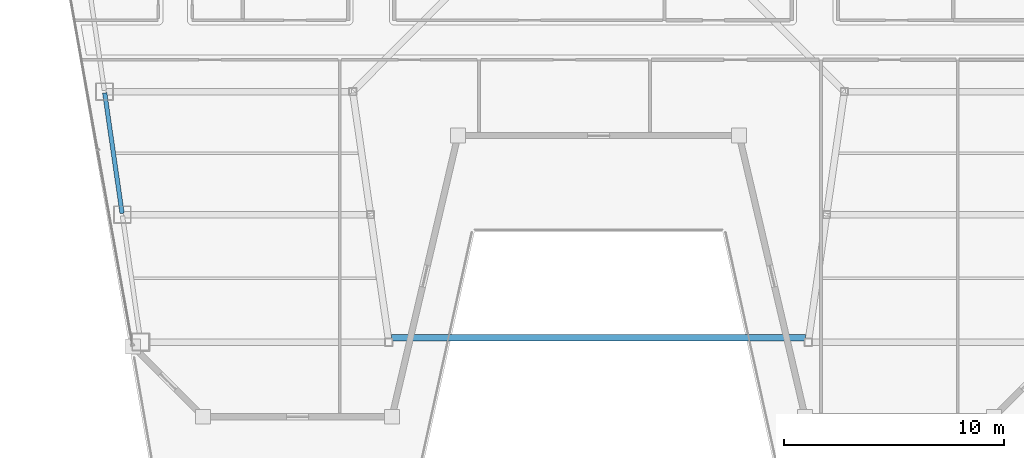
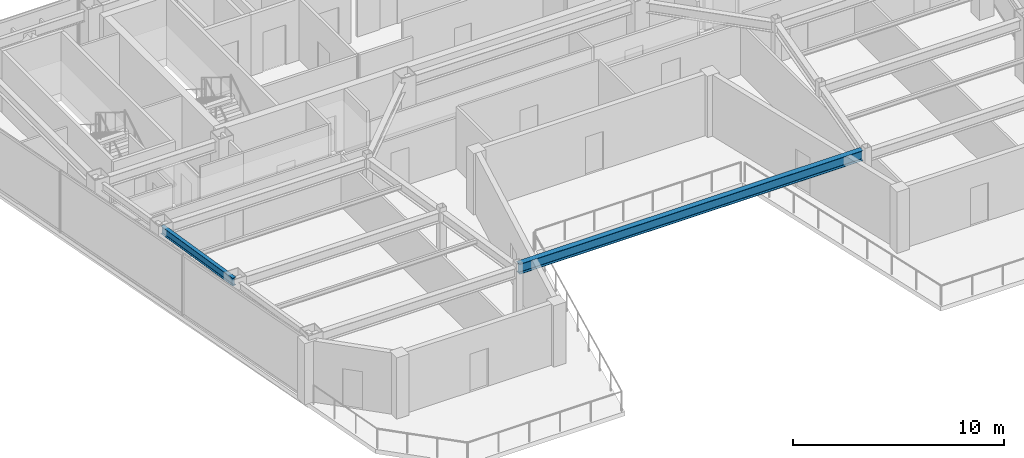
# One storey, part 4 of 28: 2 beams.
"""IFC4 building model written with IfcOpenShell, lengths in metres."""

import ifcopenshell
import ifcopenshell.guid

model = None  # the IFC model being written
_history = None  # IfcOwnerHistory: only IFC2X3 demands one
_inside = {}  # id of a spatial element -> (the spatial element, [elements in it])
_under = {}  # id of a project, library or spatial element -> (it, [spatial elements below it])
_declared = {}  # id of a project -> (the project, [libraries it declares])
_typed = {}  # id of a type object -> (the type object, [elements of that type])
_made_of = {}  # id of a material, layer set ... -> (it, [elements and type objects made of it])


def new_model(schema):
    """Start an empty IFC model of exactly this schema.

    Asked for "IFC4X3", IfcOpenShell would pick the latest addendum, in which some entities
    have other attributes; the version numbers below select the first issue.
    IFC2X3 requires an IfcOwnerHistory on every rooted entity: one is made here for all.
    """
    global model, _history
    if schema == "IFC4X3":
        model = ifcopenshell.file(schema_version=(4, 3, 0, 0))
    else:
        model = ifcopenshell.file(schema=schema)
    _inside.clear()
    _under.clear()
    _declared.clear()
    _typed.clear()
    _made_of.clear()
    _history = None
    if model.schema == "IFC2X3":
        org = make("IfcOrganization", Name="unknown")
        user = make(
            "IfcPersonAndOrganization",
            ThePerson=make("IfcPerson", FamilyName="unknown"),
            TheOrganization=org,
        )
        app = make(
            "IfcApplication",
            ApplicationDeveloper=org,
            Version="unknown",
            ApplicationFullName="unknown",
            ApplicationIdentifier="unknown",
        )
        _history = make(
            "IfcOwnerHistory",
            OwningUser=user,
            OwningApplication=app,
            ChangeAction="ADDED",
            CreationDate=0,
        )
    return model


def make(cls, **values):
    """One entity of the class cls with the attributes given. An attribute that is None is left unset."""
    return model.create_entity(
        cls, **{name: value for name, value in values.items() if value is not None}
    )


def rooted(cls, **values):
    """An entity with a GlobalId (a new one), such as an element, a storey or a relation."""
    return make(cls, GlobalId=ifcopenshell.guid.new(), OwnerHistory=_history, **values)


def si_unit(unit_type, name, prefix=None):
    """IfcSIUnit, for example si_unit("LENGTHUNIT", "METRE", prefix="MILLI")."""
    return make("IfcSIUnit", UnitType=unit_type, Prefix=prefix, Name=name)


def assignment(units):
    """IfcUnitAssignment: the units of a project."""
    return None if units is None else make("IfcUnitAssignment", Units=units)


def point(xyz):
    """IfcCartesianPoint."""
    return None if xyz is None else make("IfcCartesianPoint", Coordinates=xyz)


def direction(xyz):
    """IfcDirection."""
    return None if xyz is None else make("IfcDirection", DirectionRatios=xyz)


def frame(location, z_axis=None, x_axis=None):
    """IfcAxis2Placement3D, a coordinate frame: its origin and axes. An axis left out is left unset."""
    return make(
        "IfcAxis2Placement3D",
        Location=point(location),
        Axis=direction(z_axis),
        RefDirection=direction(x_axis),
    )


def frame_2d(location, x_axis=None):
    """IfcAxis2Placement2D, a coordinate frame in the plane: its origin and x axis."""
    return make(
        "IfcAxis2Placement2D", Location=point(location), RefDirection=direction(x_axis)
    )


def origin():
    """The frame at (0, 0, 0) with its axes left unset."""
    return frame((0.0, 0.0, 0.0))


def origin_2d():
    """The frame at (0, 0) in the plane with its x axis left unset."""
    return frame_2d((0.0, 0.0))


def place(relative_to, where):
    """IfcLocalPlacement: puts the frame where relative to a parent placement (None: the world)."""
    return make(
        "IfcLocalPlacement", PlacementRelTo=relative_to, RelativePlacement=where
    )


def context(
    kind, dimensions, precision=None, world=None, true_north=None, identifier=None
):
    """IfcGeometricRepresentationContext, for example the 3D "Model" context."""
    return make(
        "IfcGeometricRepresentationContext",
        ContextIdentifier=identifier,
        ContextType=kind,
        CoordinateSpaceDimension=dimensions,
        Precision=precision,
        WorldCoordinateSystem=world,
        TrueNorth=true_north,
    )


def subcontext(parent, identifier, kind, view, scale=None):
    """IfcGeometricRepresentationSubContext, for example "Body" below "Model"."""
    return make(
        "IfcGeometricRepresentationSubContext",
        ContextIdentifier=identifier,
        ContextType=kind,
        ParentContext=parent,
        TargetScale=scale,
        TargetView=view,
    )


def project(units=None, contexts=None):
    """IfcProject with its units and contexts."""
    return rooted(
        "IfcProject",
        Name="project",
        RepresentationContexts=contexts,
        UnitsInContext=assignment(units),
    )


def spatial(cls, under=None, at=None, **own):
    """A site, building, storey or space (cls), placed at a placement, below another one or the project."""
    s = rooted(cls, ObjectPlacement=at, **own)
    if under is not None:
        _under.setdefault(under.id(), (under, []))[1].append(s)
    return s


def profile(cls, at=None, kind="AREA", **sizes):
    """A parametric profile (cls). Its sizes go by their IFC names, for example OverallWidth=200.0."""
    return make(cls, ProfileType=kind, Position=at, **sizes)


def i_section(**sizes):
    """IfcIShapeProfileDef."""
    return profile("IfcIShapeProfileDef", **sizes)


def extrude(swept, where, along, depth):
    """IfcExtrudedAreaSolid: the profile swept, set in the frame where, extruded along a direction by depth."""
    return make(
        "IfcExtrudedAreaSolid",
        SweptArea=swept,
        Position=where,
        ExtrudedDirection=direction(along),
        Depth=depth,
    )


def shape(context_of_items, identifier, shape_type, items):
    """IfcShapeRepresentation: the items that make up one representation, for example the "Body"."""
    return make(
        "IfcShapeRepresentation",
        ContextOfItems=context_of_items,
        RepresentationIdentifier=identifier,
        RepresentationType=shape_type,
        Items=items,
    )


def material(Name=None, Category=None):
    """IfcMaterial."""
    return make("IfcMaterial", Name=Name, Category=Category)


def material_profile(
    of_material, cross_section, Name=None, Category=None, Priority=None
):
    """IfcMaterialProfile: a cross section and its material."""
    return make(
        "IfcMaterialProfile",
        Name=Name,
        Material=of_material,
        Profile=cross_section,
        Priority=Priority,
        Category=Category,
    )


def profile_set(profiles, Name=None, composite=None):
    """IfcMaterialProfileSet."""
    return make(
        "IfcMaterialProfileSet",
        Name=Name,
        MaterialProfiles=profiles,
        CompositeProfile=composite,
    )


def made_of(thing, what):
    """Note that an element or type object is made of a material, layer set ...; save() writes the relation."""
    if what is not None:
        _made_of.setdefault(what.id(), (what, []))[1].append(thing)
    return thing


def type_object(cls, material=None, **own):
    """A type object (cls), such as IfcWallType, which elements share."""
    return made_of(rooted(cls, **own), material)


def element(
    cls,
    number,
    at=None,
    inside=None,
    cuts=None,
    type_object=None,
    material=None,
    context=None,
    identifier="Body",
    shape_type=None,
    held_by="IfcProductDefinitionShape",
    body=None,
    shapes=None,
    **own,
):
    """One element of the class cls, such as IfcWall. Its Tag is "e" and its number.

    at: its placement. inside: the storey or other place that contains it. cuts: it is an
    opening in that element (IfcRelVoidsElement). A single representation is given by context,
    identifier, shape_type and body (its items); several are given by shapes. held_by: the class
    of the entity that holds the representations. save() writes the other relations.
    """
    e = rooted(cls, Tag="e%d" % number, ObjectPlacement=at, **own)
    if body is not None:
        shapes = [shape(context, identifier, shape_type, body)]
    if shapes is not None:
        e.Representation = make(held_by, Representations=shapes)
    if inside is not None:
        _inside.setdefault(inside.id(), (inside, []))[1].append(e)
    if cuts is not None:
        rooted(
            "IfcRelVoidsElement", RelatingBuildingElement=cuts, RelatedOpeningElement=e
        )
    if type_object is not None:
        _typed.setdefault(type_object.id(), (type_object, []))[1].append(e)
    return made_of(e, material)


def aggregate(whole, parts):
    """IfcRelAggregates: a whole, such as a stair, and the parts it consists of."""
    return rooted("IfcRelAggregates", RelatingObject=whole, RelatedObjects=parts)


def save(model, path):
    """Write the relations noted so far, then the file.

    IfcRelAggregates (storeys below a building ...), IfcRelContainedInSpatialStructure (elements
    in a storey), IfcRelDefinesByType, IfcRelAssociatesMaterial and IfcRelDeclares: one each for
    every whole, place, type object, material and project.
    """
    for whole, parts in _under.values():
        aggregate(whole, parts)
    for where, things in _inside.values():
        rooted(
            "IfcRelContainedInSpatialStructure",
            RelatedElements=things,
            RelatingStructure=where,
        )
    for kind, things in _typed.values():
        rooted("IfcRelDefinesByType", RelatedObjects=things, RelatingType=kind)
    for what, things in _made_of.values():
        rooted("IfcRelAssociatesMaterial", RelatedObjects=things, RelatingMaterial=what)
    for by, libraries in _declared.values():
        rooted("IfcRelDeclares", RelatingContext=by, RelatedDefinitions=libraries)
    model.write(path)


model = new_model("IFC4")

# Units and contexts
model_context = context("Model", 3, precision=1e-05, world=origin(), true_north=direction((0.0, 1.0)))
body_context = subcontext(model_context, "Body", "Model", "MODEL_VIEW")
ifc_project = project(units=[si_unit("LENGTHUNIT", "METRE"), si_unit("AREAUNIT", "SQUARE_METRE"), si_unit("VOLUMEUNIT", "CUBIC_METRE"), si_unit("PLANEANGLEUNIT", "RADIAN"), si_unit("MASSUNIT", "GRAM", prefix="KILO")], contexts=[model_context])

# Site, building, storey
site_placement = place(None, origin())
site = spatial("IfcSite", under=ifc_project, at=site_placement, CompositionType="ELEMENT")
building_placement = place(site_placement, origin())
building = spatial("IfcBuilding", under=site, at=building_placement, Name="Saevonmaru Cultural Tower", CompositionType="ELEMENT")
storey_placement = place(building_placement, frame((0.0, 0.0, 253.39990234375)))
storey = spatial("IfcBuildingStorey", under=building, at=storey_placement, Name="L59", CompositionType="ELEMENT", Elevation=253.39990234375)

# Beams
ifc_material = material(Name="Steel SM355", Category="steel")
ifc_material_profile_1 = material_profile(ifc_material, i_section(OverallWidth=0.300048828125, OverallDepth=0.587890625, WebThickness=0.011962890625, FlangeThickness=0.02001953125, FilletRadius=0.02392578125, at=origin_2d()), Name="H-588x300x12x20")
ifc_profile_set_1 = profile_set([ifc_material_profile_1], Name="Steel SM355")
beam_type_1 = type_object("IfcBeamType", Name="BM-G-H588", PredefinedType="BEAM", material=ifc_profile_set_1)
beam_1_placement = place(storey_placement, frame((20.5830078125, 26.39990234375, 3.256103515625), z_axis=(1.0, 0.0, 0.0), x_axis=(0.0, 1.0, 0.0)))
element("IfcBeam", 1, at=beam_1_placement, inside=storey, type_object=beam_type_1, Name="L59 Central Link Girder", PredefinedType="BEAM", context=body_context, shape_type="SweptSolid", body=[
    extrude(i_section(OverallWidth=0.300048828125, OverallDepth=0.587890625, WebThickness=0.011962890625, FlangeThickness=0.02001953125, FilletRadius=0.02392578125, at=origin_2d()), origin(), (0.0, 0.0, 1.0), 18.833984375),
])
ifc_material_profile_2 = material_profile(ifc_material, i_section(OverallWidth=0.199951171875, OverallDepth=0.449951171875, WebThickness=0.009033203125, FlangeThickness=0.013916015625, FilletRadius=0.01806640625, at=origin_2d()), Name="H-450x200x9x14")
ifc_profile_set_2 = profile_set([ifc_material_profile_2], Name="Steel SM355")
beam_type_2 = type_object("IfcBeamType", Name="BM-SP-H450", PredefinedType="SPANDREL", material=ifc_profile_set_2)
beam_2_placement = place(storey_placement, frame((8.308349609375, 32.059326171875, 3.3251953125), z_axis=(-0.142964121327, 0.989727871697, 0.0), x_axis=(-0.989727871697, -0.142964121327, 0.0)))
element("IfcBeam", 2, at=beam_2_placement, inside=storey, type_object=beam_type_2, Name="L59 West Splayed Spandrel 2", PredefinedType="SPANDREL", context=body_context, shape_type="SweptSolid", body=[
    extrude(i_section(OverallWidth=0.199951171875, OverallDepth=0.449951171875, WebThickness=0.009033203125, FlangeThickness=0.013916015625, FilletRadius=0.01806640625, at=origin_2d()), origin(), (0.0, 0.0, 1.0), 5.5380859375),
])

save(model, "model.ifc")
